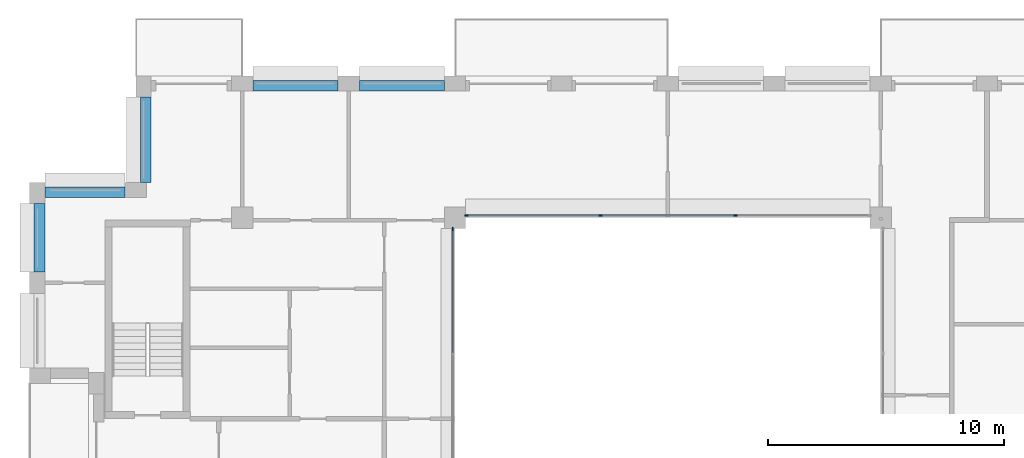
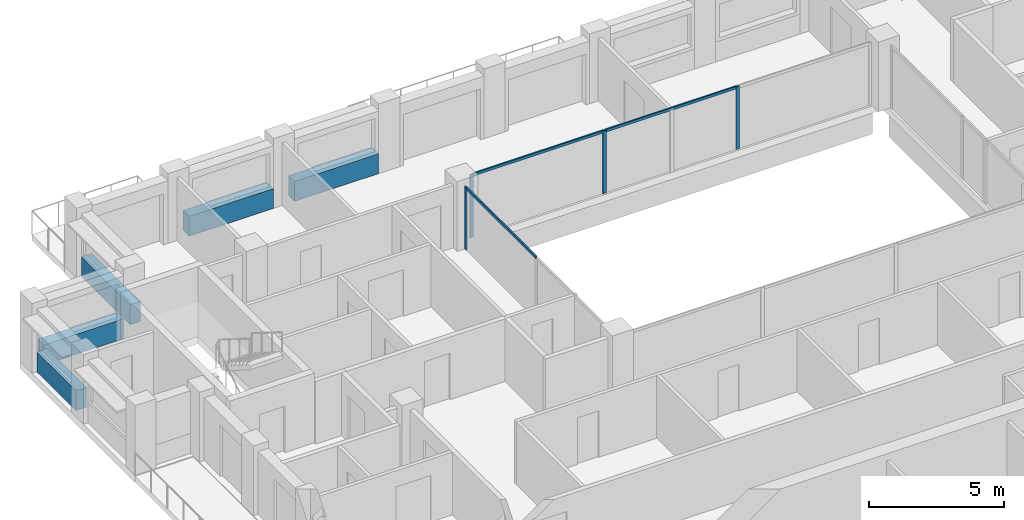
# One storey, part 5 of 16: 7 members, 5 beams, 2 elements without a shape of their own.
"""IFC4 building model written with IfcOpenShell, lengths in metres."""

import ifcopenshell
import ifcopenshell.guid

model = None  # the IFC model being written
_history = None  # IfcOwnerHistory: only IFC2X3 demands one
_inside = {}  # id of a spatial element -> (the spatial element, [elements in it])
_under = {}  # id of a project, library or spatial element -> (it, [spatial elements below it])
_declared = {}  # id of a project -> (the project, [libraries it declares])
_typed = {}  # id of a type object -> (the type object, [elements of that type])
_made_of = {}  # id of a material, layer set ... -> (it, [elements and type objects made of it])


def new_model(schema):
    """Start an empty IFC model of exactly this schema.

    Asked for "IFC4X3", IfcOpenShell would pick the latest addendum, in which some entities
    have other attributes; the version numbers below select the first issue.
    IFC2X3 requires an IfcOwnerHistory on every rooted entity: one is made here for all.
    """
    global model, _history
    if schema == "IFC4X3":
        model = ifcopenshell.file(schema_version=(4, 3, 0, 0))
    else:
        model = ifcopenshell.file(schema=schema)
    _inside.clear()
    _under.clear()
    _declared.clear()
    _typed.clear()
    _made_of.clear()
    _history = None
    if model.schema == "IFC2X3":
        org = make("IfcOrganization", Name="unknown")
        user = make(
            "IfcPersonAndOrganization",
            ThePerson=make("IfcPerson", FamilyName="unknown"),
            TheOrganization=org,
        )
        app = make(
            "IfcApplication",
            ApplicationDeveloper=org,
            Version="unknown",
            ApplicationFullName="unknown",
            ApplicationIdentifier="unknown",
        )
        _history = make(
            "IfcOwnerHistory",
            OwningUser=user,
            OwningApplication=app,
            ChangeAction="ADDED",
            CreationDate=0,
        )
    return model


def make(cls, **values):
    """One entity of the class cls with the attributes given. An attribute that is None is left unset."""
    return model.create_entity(
        cls, **{name: value for name, value in values.items() if value is not None}
    )


def rooted(cls, **values):
    """An entity with a GlobalId (a new one), such as an element, a storey or a relation."""
    return make(cls, GlobalId=ifcopenshell.guid.new(), OwnerHistory=_history, **values)


def si_unit(unit_type, name, prefix=None):
    """IfcSIUnit, for example si_unit("LENGTHUNIT", "METRE", prefix="MILLI")."""
    return make("IfcSIUnit", UnitType=unit_type, Prefix=prefix, Name=name)


def assignment(units):
    """IfcUnitAssignment: the units of a project."""
    return None if units is None else make("IfcUnitAssignment", Units=units)


def point(xyz):
    """IfcCartesianPoint."""
    return None if xyz is None else make("IfcCartesianPoint", Coordinates=xyz)


def direction(xyz):
    """IfcDirection."""
    return None if xyz is None else make("IfcDirection", DirectionRatios=xyz)


def frame(location, z_axis=None, x_axis=None):
    """IfcAxis2Placement3D, a coordinate frame: its origin and axes. An axis left out is left unset."""
    return make(
        "IfcAxis2Placement3D",
        Location=point(location),
        Axis=direction(z_axis),
        RefDirection=direction(x_axis),
    )


def frame_2d(location, x_axis=None):
    """IfcAxis2Placement2D, a coordinate frame in the plane: its origin and x axis."""
    return make(
        "IfcAxis2Placement2D", Location=point(location), RefDirection=direction(x_axis)
    )


def origin():
    """The frame at (0, 0, 0) with its axes left unset."""
    return frame((0.0, 0.0, 0.0))


def origin_2d():
    """The frame at (0, 0) in the plane with its x axis left unset."""
    return frame_2d((0.0, 0.0))


def place(relative_to, where):
    """IfcLocalPlacement: puts the frame where relative to a parent placement (None: the world)."""
    return make(
        "IfcLocalPlacement", PlacementRelTo=relative_to, RelativePlacement=where
    )


def context(
    kind, dimensions, precision=None, world=None, true_north=None, identifier=None
):
    """IfcGeometricRepresentationContext, for example the 3D "Model" context."""
    return make(
        "IfcGeometricRepresentationContext",
        ContextIdentifier=identifier,
        ContextType=kind,
        CoordinateSpaceDimension=dimensions,
        Precision=precision,
        WorldCoordinateSystem=world,
        TrueNorth=true_north,
    )


def subcontext(parent, identifier, kind, view, scale=None):
    """IfcGeometricRepresentationSubContext, for example "Body" below "Model"."""
    return make(
        "IfcGeometricRepresentationSubContext",
        ContextIdentifier=identifier,
        ContextType=kind,
        ParentContext=parent,
        TargetScale=scale,
        TargetView=view,
    )


def project(units=None, contexts=None):
    """IfcProject with its units and contexts."""
    return rooted(
        "IfcProject",
        Name="project",
        RepresentationContexts=contexts,
        UnitsInContext=assignment(units),
    )


def spatial(cls, under=None, at=None, **own):
    """A site, building, storey or space (cls), placed at a placement, below another one or the project."""
    s = rooted(cls, ObjectPlacement=at, **own)
    if under is not None:
        _under.setdefault(under.id(), (under, []))[1].append(s)
    return s


def profile(cls, at=None, kind="AREA", **sizes):
    """A parametric profile (cls). Its sizes go by their IFC names, for example OverallWidth=200.0."""
    return make(cls, ProfileType=kind, Position=at, **sizes)


def rectangle(**sizes):
    """IfcRectangleProfileDef."""
    return profile("IfcRectangleProfileDef", **sizes)


def extrude(swept, where, along, depth):
    """IfcExtrudedAreaSolid: the profile swept, set in the frame where, extruded along a direction by depth."""
    return make(
        "IfcExtrudedAreaSolid",
        SweptArea=swept,
        Position=where,
        ExtrudedDirection=direction(along),
        Depth=depth,
    )


def shape(context_of_items, identifier, shape_type, items):
    """IfcShapeRepresentation: the items that make up one representation, for example the "Body"."""
    return make(
        "IfcShapeRepresentation",
        ContextOfItems=context_of_items,
        RepresentationIdentifier=identifier,
        RepresentationType=shape_type,
        Items=items,
    )


def material(Name=None, Category=None):
    """IfcMaterial."""
    return make("IfcMaterial", Name=Name, Category=Category)


def layer(
    of_material, thickness, ventilated=None, Name=None, Category=None, Priority=None
):
    """IfcMaterialLayer: one layer of a wall or slab, of a material (None: an air gap)."""
    return make(
        "IfcMaterialLayer",
        Material=of_material,
        LayerThickness=thickness,
        IsVentilated=ventilated,
        Name=Name,
        Category=Category,
        Priority=Priority,
    )


def layer_set(layers, Name=None):
    """IfcMaterialLayerSet."""
    return make("IfcMaterialLayerSet", MaterialLayers=layers, LayerSetName=Name)


def material_profile(
    of_material, cross_section, Name=None, Category=None, Priority=None
):
    """IfcMaterialProfile: a cross section and its material."""
    return make(
        "IfcMaterialProfile",
        Name=Name,
        Material=of_material,
        Profile=cross_section,
        Priority=Priority,
        Category=Category,
    )


def profile_set(profiles, Name=None, composite=None):
    """IfcMaterialProfileSet."""
    return make(
        "IfcMaterialProfileSet",
        Name=Name,
        MaterialProfiles=profiles,
        CompositeProfile=composite,
    )


def made_of(thing, what):
    """Note that an element or type object is made of a material, layer set ...; save() writes the relation."""
    if what is not None:
        _made_of.setdefault(what.id(), (what, []))[1].append(thing)
    return thing


def type_object(cls, material=None, **own):
    """A type object (cls), such as IfcWallType, which elements share."""
    return made_of(rooted(cls, **own), material)


def element(
    cls,
    number,
    at=None,
    inside=None,
    cuts=None,
    type_object=None,
    material=None,
    context=None,
    identifier="Body",
    shape_type=None,
    held_by="IfcProductDefinitionShape",
    body=None,
    shapes=None,
    **own,
):
    """One element of the class cls, such as IfcWall. Its Tag is "e" and its number.

    at: its placement. inside: the storey or other place that contains it. cuts: it is an
    opening in that element (IfcRelVoidsElement). A single representation is given by context,
    identifier, shape_type and body (its items); several are given by shapes. held_by: the class
    of the entity that holds the representations. save() writes the other relations.
    """
    e = rooted(cls, Tag="e%d" % number, ObjectPlacement=at, **own)
    if body is not None:
        shapes = [shape(context, identifier, shape_type, body)]
    if shapes is not None:
        e.Representation = make(held_by, Representations=shapes)
    if inside is not None:
        _inside.setdefault(inside.id(), (inside, []))[1].append(e)
    if cuts is not None:
        rooted(
            "IfcRelVoidsElement", RelatingBuildingElement=cuts, RelatedOpeningElement=e
        )
    if type_object is not None:
        _typed.setdefault(type_object.id(), (type_object, []))[1].append(e)
    return made_of(e, material)


def aggregate(whole, parts):
    """IfcRelAggregates: a whole, such as a stair, and the parts it consists of."""
    return rooted("IfcRelAggregates", RelatingObject=whole, RelatedObjects=parts)


def save(model, path):
    """Write the relations noted so far, then the file.

    IfcRelAggregates (storeys below a building ...), IfcRelContainedInSpatialStructure (elements
    in a storey), IfcRelDefinesByType, IfcRelAssociatesMaterial and IfcRelDeclares: one each for
    every whole, place, type object, material and project.
    """
    for whole, parts in _under.values():
        aggregate(whole, parts)
    for where, things in _inside.values():
        rooted(
            "IfcRelContainedInSpatialStructure",
            RelatedElements=things,
            RelatingStructure=where,
        )
    for kind, things in _typed.values():
        rooted("IfcRelDefinesByType", RelatedObjects=things, RelatingType=kind)
    for what, things in _made_of.values():
        rooted("IfcRelAssociatesMaterial", RelatedObjects=things, RelatingMaterial=what)
    for by, libraries in _declared.values():
        rooted("IfcRelDeclares", RelatingContext=by, RelatedDefinitions=libraries)
    model.write(path)


model = new_model("IFC4")

# Units and contexts
model_context = context("Model", 3, precision=1e-05, world=origin(), true_north=direction((0.0, 1.0)))
body_context = subcontext(model_context, "Body", "Model", "MODEL_VIEW")
ifc_project = project(units=[si_unit("LENGTHUNIT", "METRE"), si_unit("AREAUNIT", "SQUARE_METRE"), si_unit("VOLUMEUNIT", "CUBIC_METRE"), si_unit("PLANEANGLEUNIT", "RADIAN"), si_unit("MASSUNIT", "GRAM", prefix="KILO")], contexts=[model_context])

# Site, building, storey
site_placement = place(None, origin())
site = spatial("IfcSite", under=ifc_project, at=site_placement, CompositionType="ELEMENT")
building_placement = place(site_placement, origin())
building = spatial("IfcBuilding", under=site, at=building_placement, Name="Brigalow Station Residences", CompositionType="ELEMENT")
storey_placement = place(building_placement, frame((0.0, 0.0, 198.0)))
storey = spatial("IfcBuildingStorey", under=building, at=storey_placement, Name="L56", CompositionType="ELEMENT", Elevation=198.0)

# Curtain wall, members
ifc_material_1 = material(Name="Aluminium", Category="aluminium")
ifc_layer = layer(ifc_material_1, 0.14990234375)
ifc_layer_set = layer_set([ifc_layer], Name="ATRIUM FIRE-RATED GLAZING CURTAIN WALL")
curtain_wall_type = type_object("IfcCurtainWallType", Name="ATRIUM FIRE-RATED GLAZING CURTAIN WALL", PredefinedType="NOTDEFINED", material=ifc_layer_set)
curtain_wall_1_placement = place(storey_placement, origin())
curtain_wall_1 = element("IfcCurtainWall", 1, at=curtain_wall_1_placement, inside=storey, type_object=curtain_wall_type, Name="L56/cw/atrium-N", PredefinedType="NOTDEFINED")
ifc_material_2 = material(Name="Aluminium", Category="aluminium")
ifc_material_profile_1 = material_profile(ifc_material_2, rectangle(XDim=0.06005859375, YDim=0.14990234375, at=origin_2d()), Name="ATRIUM FIRE-RATED GLAZING MULLION 60x150")
ifc_profile_set_1 = profile_set([ifc_material_profile_1], Name="Aluminium")
member_type_1 = type_object("IfcMemberType", Name="ATRIUM FIRE-RATED GLAZING MULLION 60x150", PredefinedType="MULLION", material=ifc_profile_set_1)
member_1_placement = place(storey_placement, frame((38.85009765625, 35.60009765625, 0.0), z_axis=(0.0, 0.0, 1.0), x_axis=(0.0, -1.0, 0.0)))
member_1 = element("IfcMember", 2, at=member_1_placement, type_object=member_type_1, Name="L56/cw/atrium-N/M01", PredefinedType="MULLION", context=body_context, shape_type="SweptSolid", body=[
    extrude(rectangle(XDim=0.06005859375, YDim=0.14990234375, at=origin_2d()), origin(), (0.0, 0.0, 1.0), 2.830078125),
])
member_2_placement = place(storey_placement, frame((33.14990234375, 35.60009765625, 0.0), z_axis=(0.0, 0.0, 1.0), x_axis=(0.0, -1.0, 0.0)))
member_2 = element("IfcMember", 3, at=member_2_placement, type_object=member_type_1, Name="L56/cw/atrium-N/M02", PredefinedType="MULLION", context=body_context, shape_type="SweptSolid", body=[
    extrude(rectangle(XDim=0.06005859375, YDim=0.14990234375, at=origin_2d()), origin(), (0.0, 0.0, 1.0), 2.830078125),
])
member_3_placement = place(storey_placement, frame((27.47998046875, 35.60009765625, 0.0), z_axis=(0.0, 0.0, 1.0), x_axis=(0.0, -1.0, 0.0)))
member_3 = element("IfcMember", 4, at=member_3_placement, type_object=member_type_1, Name="L56/cw/atrium-N/M03", PredefinedType="MULLION", context=body_context, shape_type="SweptSolid", body=[
    extrude(rectangle(XDim=0.06005859375, YDim=0.14990234375, at=origin_2d()), origin(), (0.0, 0.0, 1.0), 2.830078125),
])

# Curtain wall, member
curtain_wall_2_placement = place(storey_placement, origin())
curtain_wall_2 = element("IfcCurtainWall", 5, at=curtain_wall_2_placement, inside=storey, type_object=curtain_wall_type, Name="L56/cw/atrium-W", PredefinedType="NOTDEFINED")
member_4_placement = place(storey_placement, frame((26.89990234375, 35.02001953125, 0.0), z_axis=(0.0, 0.0, 1.0), x_axis=(1.0, 0.0, 0.0)))
member_4 = element("IfcMember", 6, at=member_4_placement, type_object=member_type_1, Name="L56/cw/atrium-W/M00", PredefinedType="MULLION", context=body_context, shape_type="SweptSolid", body=[
    extrude(rectangle(XDim=0.06005859375, YDim=0.14990234375, at=origin_2d()), origin(), (0.0, 0.0, 1.0), 2.830078125),
])

# Member
ifc_material_3 = material(Name="Aluminium", Category="aluminium")
ifc_material_profile_2 = material_profile(ifc_material_3, rectangle(XDim=0.06005859375, YDim=0.1201171875, at=origin_2d()), Name="ATRIUM FIRE-RATED GLAZING TRANSOM 60x120")
ifc_profile_set_2 = profile_set([ifc_material_profile_2], Name="Aluminium")
member_type_2 = type_object("IfcMemberType", Name="ATRIUM FIRE-RATED GLAZING TRANSOM 60x120", PredefinedType="USERDEFINED", material=ifc_profile_set_2)
member_5_placement = place(storey_placement, frame((38.820068359375, 35.60009765625, 2.800048828125), z_axis=(-1.0, 0.0, 0.0), x_axis=(0.0, -1.0, 0.0)))
member_5 = element("IfcMember", 7, at=member_5_placement, type_object=member_type_2, Name="L56/cw/atrium-N/T01-00", ObjectType="TRANSOM", PredefinedType="USERDEFINED", context=body_context, shape_type="SweptSolid", body=[
    extrude(rectangle(XDim=0.06005859375, YDim=0.1201171875, at=origin_2d()), origin(), (0.0, 0.0, 1.0), 5.64013671875),
])

member_6_placement = place(storey_placement, frame((33.1201171875, 35.60009765625, 2.800048828125), z_axis=(-1.0, 0.0, 0.0), x_axis=(0.0, -1.0, 0.0)))
member_6 = element("IfcMember", 8, at=member_6_placement, type_object=member_type_2, Name="L56/cw/atrium-N/T02-00", ObjectType="TRANSOM", PredefinedType="USERDEFINED", context=body_context, shape_type="SweptSolid", body=[
    extrude(rectangle(XDim=0.06005859375, YDim=0.1201171875, at=origin_2d()), origin(), (0.0, 0.0, 1.0), 5.610107421875),
])

aggregate(curtain_wall_1, [member_1, member_2, member_3, member_5, member_6])

member_7_placement = place(storey_placement, frame((26.89990234375, 34.989990234375, 2.800048828125), z_axis=(0.0, -1.0, 0.0), x_axis=(1.0, 0.0, 0.0)))
member_7 = element("IfcMember", 9, at=member_7_placement, type_object=member_type_2, Name="L56/cw/atrium-W/T00-00", ObjectType="TRANSOM", PredefinedType="USERDEFINED", context=body_context, shape_type="SweptSolid", body=[
    extrude(rectangle(XDim=0.06005859375, YDim=0.1201171875, at=origin_2d()), origin(), (0.0, 0.0, 1.0), 5.2099609375),
])

aggregate(curtain_wall_2, [member_4, member_7])

# Beams
ifc_material_4 = material(Name="Concrete C50", Category="concrete")
ifc_material_profile_3 = material_profile(ifc_material_4, rectangle(XDim=0.449951171875, YDim=0.89990234375, at=origin_2d()), Name="RC450x900")
ifc_profile_set_3 = profile_set([ifc_material_profile_3], Name="Concrete C50")
beam_type = type_object("IfcBeamType", Name="SPANDREL BEAM 450x900 C50", PredefinedType="SPANDREL", material=ifc_profile_set_3)
for number, where, z_axis, x_axis, name in (
    (10, (26.550048828125, 41.074951171875, 0.449951171875), (-1.0, 0.0, 0.0), (0.0, -1.0, 0.0), "L56/spandrel/W-L56-29"),
    (11, (22.050048828125, 41.074951171875, 0.449951171875), (-1.0, 0.0, 0.0), (0.0, -1.0, 0.0), "L56/spandrel/W-L56-30"),
    (12, (13.925048828125, 40.60009765625, 0.449951171875), (0.0, -1.0, 0.0), (1.0, 0.0, 0.0), "L56/spandrel/W-L56-32"),
):
    element("IfcBeam", number, at=place(storey_placement, frame(where, z_axis=z_axis, x_axis=x_axis)), inside=storey, type_object=beam_type, Name=name, PredefinedType="SPANDREL", context=body_context, shape_type="SweptSolid", body=[
        extrude(rectangle(XDim=0.449951171875, YDim=0.89990234375, at=origin_2d()), origin(), (0.0, 0.0, 1.0), 3.60009765625),
    ])
beam_1_placement = place(storey_placement, frame((13.050048828125, 36.574951171875, 0.449951171875), z_axis=(-1.0, 0.0, 0.0), x_axis=(0.0, -1.0, 0.0)))
element("IfcBeam", 13, at=beam_1_placement, inside=storey, type_object=beam_type, Name="L56/spandrel/W-L56-33", PredefinedType="SPANDREL", context=body_context, shape_type="SweptSolid", body=[
    extrude(rectangle(XDim=0.449951171875, YDim=0.89990234375, at=origin_2d()), origin(), (0.0, 0.0, 1.0), 3.400146484375),
])
beam_2_placement = place(storey_placement, frame((9.425048828125, 36.10009765625, 0.449951171875), z_axis=(0.0, -1.0, 0.0), x_axis=(1.0, 0.0, 0.0)))
element("IfcBeam", 14, at=beam_2_placement, inside=storey, type_object=beam_type, Name="L56/spandrel/W-L56-34", PredefinedType="SPANDREL", context=body_context, shape_type="SweptSolid", body=[
    extrude(rectangle(XDim=0.449951171875, YDim=0.89990234375, at=origin_2d()), origin(), (0.0, 0.0, 1.0), 2.900146484375),
])

save(model, "model.ifc")
